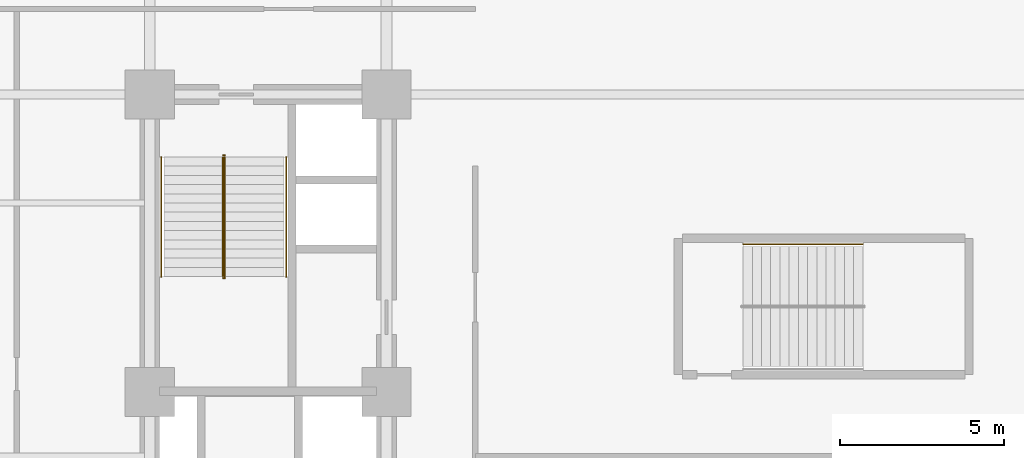
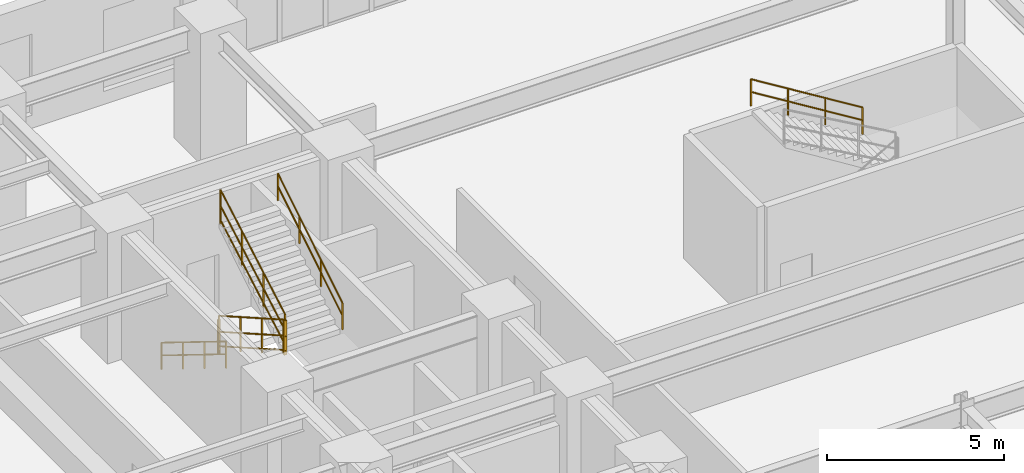
# One storey, part 14 of 15: 7 railings.
"""IFC4 building model written with IfcOpenShell, lengths in metres."""

import ifcopenshell
import ifcopenshell.guid

model = None  # the IFC model being written
_history = None  # IfcOwnerHistory: only IFC2X3 demands one
_inside = {}  # id of a spatial element -> (the spatial element, [elements in it])
_under = {}  # id of a project, library or spatial element -> (it, [spatial elements below it])
_declared = {}  # id of a project -> (the project, [libraries it declares])
_typed = {}  # id of a type object -> (the type object, [elements of that type])
_made_of = {}  # id of a material, layer set ... -> (it, [elements and type objects made of it])


def new_model(schema):
    """Start an empty IFC model of exactly this schema.

    Asked for "IFC4X3", IfcOpenShell would pick the latest addendum, in which some entities
    have other attributes; the version numbers below select the first issue.
    IFC2X3 requires an IfcOwnerHistory on every rooted entity: one is made here for all.
    """
    global model, _history
    if schema == "IFC4X3":
        model = ifcopenshell.file(schema_version=(4, 3, 0, 0))
    else:
        model = ifcopenshell.file(schema=schema)
    _inside.clear()
    _under.clear()
    _declared.clear()
    _typed.clear()
    _made_of.clear()
    _history = None
    if model.schema == "IFC2X3":
        org = make("IfcOrganization", Name="unknown")
        user = make(
            "IfcPersonAndOrganization",
            ThePerson=make("IfcPerson", FamilyName="unknown"),
            TheOrganization=org,
        )
        app = make(
            "IfcApplication",
            ApplicationDeveloper=org,
            Version="unknown",
            ApplicationFullName="unknown",
            ApplicationIdentifier="unknown",
        )
        _history = make(
            "IfcOwnerHistory",
            OwningUser=user,
            OwningApplication=app,
            ChangeAction="ADDED",
            CreationDate=0,
        )
    return model


def make(cls, **values):
    """One entity of the class cls with the attributes given. An attribute that is None is left unset."""
    return model.create_entity(
        cls, **{name: value for name, value in values.items() if value is not None}
    )


def entity(cls, *values):
    """Any entity or typed value of the class cls, its attributes in the order of the schema. None: left unset."""
    e = model.create_entity(cls)
    for i, value in enumerate(values):
        if value is not None:
            e[i] = value
    return e


def rooted(cls, **values):
    """An entity with a GlobalId (a new one), such as an element, a storey or a relation."""
    return make(cls, GlobalId=ifcopenshell.guid.new(), OwnerHistory=_history, **values)


def si_unit(unit_type, name, prefix=None):
    """IfcSIUnit, for example si_unit("LENGTHUNIT", "METRE", prefix="MILLI")."""
    return make("IfcSIUnit", UnitType=unit_type, Prefix=prefix, Name=name)


def converted_unit(unit_type, name, factor, base, dimensions=None, offset=None):
    """IfcConversionBasedUnit, such as the inch: factor (a typed value) times the base unit."""
    return make(
        "IfcConversionBasedUnit"
        if offset is None
        else "IfcConversionBasedUnitWithOffset",
        ConversionOffset=offset,
        Dimensions=None
        if dimensions is None
        else entity("IfcDimensionalExponents", *dimensions),
        UnitType=unit_type,
        Name=name,
        ConversionFactor=make(
            "IfcMeasureWithUnit", ValueComponent=factor, UnitComponent=base
        ),
    )


def assignment(units):
    """IfcUnitAssignment: the units of a project."""
    return None if units is None else make("IfcUnitAssignment", Units=units)


def point(xyz):
    """IfcCartesianPoint."""
    return None if xyz is None else make("IfcCartesianPoint", Coordinates=xyz)


def direction(xyz):
    """IfcDirection."""
    return None if xyz is None else make("IfcDirection", DirectionRatios=xyz)


def frame(location, z_axis=None, x_axis=None):
    """IfcAxis2Placement3D, a coordinate frame: its origin and axes. An axis left out is left unset."""
    return make(
        "IfcAxis2Placement3D",
        Location=point(location),
        Axis=direction(z_axis),
        RefDirection=direction(x_axis),
    )


def frame_2d(location, x_axis=None):
    """IfcAxis2Placement2D, a coordinate frame in the plane: its origin and x axis."""
    return make(
        "IfcAxis2Placement2D", Location=point(location), RefDirection=direction(x_axis)
    )


def origin_with_axes():
    """The frame at (0, 0, 0) with the z axis (0, 0, 1) and the x axis (1, 0, 0) written out."""
    return frame((0.0, 0.0, 0.0), z_axis=(0.0, 0.0, 1.0), x_axis=(1.0, 0.0, 0.0))


def origin_2d_with_axis():
    """The frame at (0, 0) in the plane with the x axis (1, 0) written out."""
    return frame_2d((0.0, 0.0), x_axis=(1.0, 0.0))


def place(relative_to, where):
    """IfcLocalPlacement: puts the frame where relative to a parent placement (None: the world)."""
    return make(
        "IfcLocalPlacement", PlacementRelTo=relative_to, RelativePlacement=where
    )


def context(
    kind, dimensions, precision=None, world=None, true_north=None, identifier=None
):
    """IfcGeometricRepresentationContext, for example the 3D "Model" context."""
    return make(
        "IfcGeometricRepresentationContext",
        ContextIdentifier=identifier,
        ContextType=kind,
        CoordinateSpaceDimension=dimensions,
        Precision=precision,
        WorldCoordinateSystem=world,
        TrueNorth=true_north,
    )


def subcontext(parent, identifier, kind, view, scale=None):
    """IfcGeometricRepresentationSubContext, for example "Body" below "Model"."""
    return make(
        "IfcGeometricRepresentationSubContext",
        ContextIdentifier=identifier,
        ContextType=kind,
        ParentContext=parent,
        TargetScale=scale,
        TargetView=view,
    )


def project(units=None, contexts=None):
    """IfcProject with its units and contexts."""
    return rooted(
        "IfcProject",
        Name="project",
        RepresentationContexts=contexts,
        UnitsInContext=assignment(units),
    )


def spatial(cls, under=None, at=None, **own):
    """A site, building, storey or space (cls), placed at a placement, below another one or the project."""
    s = rooted(cls, ObjectPlacement=at, **own)
    if under is not None:
        _under.setdefault(under.id(), (under, []))[1].append(s)
    return s


def profile(cls, at=None, kind="AREA", **sizes):
    """A parametric profile (cls). Its sizes go by their IFC names, for example OverallWidth=200.0."""
    return make(cls, ProfileType=kind, Position=at, **sizes)


def rectangle(**sizes):
    """IfcRectangleProfileDef."""
    return profile("IfcRectangleProfileDef", **sizes)


def circle(**sizes):
    """IfcCircleProfileDef."""
    return profile("IfcCircleProfileDef", **sizes)


def extrude(swept, where, along, depth):
    """IfcExtrudedAreaSolid: the profile swept, set in the frame where, extruded along a direction by depth."""
    return make(
        "IfcExtrudedAreaSolid",
        SweptArea=swept,
        Position=where,
        ExtrudedDirection=direction(along),
        Depth=depth,
    )


def shape(context_of_items, identifier, shape_type, items):
    """IfcShapeRepresentation: the items that make up one representation, for example the "Body"."""
    return make(
        "IfcShapeRepresentation",
        ContextOfItems=context_of_items,
        RepresentationIdentifier=identifier,
        RepresentationType=shape_type,
        Items=items,
    )


def material(Name=None, Category=None):
    """IfcMaterial."""
    return make("IfcMaterial", Name=Name, Category=Category)


def made_of(thing, what):
    """Note that an element or type object is made of a material, layer set ...; save() writes the relation."""
    if what is not None:
        _made_of.setdefault(what.id(), (what, []))[1].append(thing)
    return thing


def type_object(cls, material=None, **own):
    """A type object (cls), such as IfcWallType, which elements share."""
    return made_of(rooted(cls, **own), material)


def element(
    cls,
    number,
    at=None,
    inside=None,
    cuts=None,
    type_object=None,
    material=None,
    context=None,
    identifier="Body",
    shape_type=None,
    held_by="IfcProductDefinitionShape",
    body=None,
    shapes=None,
    **own,
):
    """One element of the class cls, such as IfcWall. Its Tag is "e" and its number.

    at: its placement. inside: the storey or other place that contains it. cuts: it is an
    opening in that element (IfcRelVoidsElement). A single representation is given by context,
    identifier, shape_type and body (its items); several are given by shapes. held_by: the class
    of the entity that holds the representations. save() writes the other relations.
    """
    e = rooted(cls, Tag="e%d" % number, ObjectPlacement=at, **own)
    if body is not None:
        shapes = [shape(context, identifier, shape_type, body)]
    if shapes is not None:
        e.Representation = make(held_by, Representations=shapes)
    if inside is not None:
        _inside.setdefault(inside.id(), (inside, []))[1].append(e)
    if cuts is not None:
        rooted(
            "IfcRelVoidsElement", RelatingBuildingElement=cuts, RelatedOpeningElement=e
        )
    if type_object is not None:
        _typed.setdefault(type_object.id(), (type_object, []))[1].append(e)
    return made_of(e, material)


def aggregate(whole, parts):
    """IfcRelAggregates: a whole, such as a stair, and the parts it consists of."""
    return rooted("IfcRelAggregates", RelatingObject=whole, RelatedObjects=parts)


def save(model, path):
    """Write the relations noted so far, then the file.

    IfcRelAggregates (storeys below a building ...), IfcRelContainedInSpatialStructure (elements
    in a storey), IfcRelDefinesByType, IfcRelAssociatesMaterial and IfcRelDeclares: one each for
    every whole, place, type object, material and project.
    """
    for whole, parts in _under.values():
        aggregate(whole, parts)
    for where, things in _inside.values():
        rooted(
            "IfcRelContainedInSpatialStructure",
            RelatedElements=things,
            RelatingStructure=where,
        )
    for kind, things in _typed.values():
        rooted("IfcRelDefinesByType", RelatedObjects=things, RelatingType=kind)
    for what, things in _made_of.values():
        rooted("IfcRelAssociatesMaterial", RelatedObjects=things, RelatingMaterial=what)
    for by, libraries in _declared.values():
        rooted("IfcRelDeclares", RelatingContext=by, RelatedDefinitions=libraries)
    model.write(path)


model = new_model("IFC4")

# Units and contexts
model_context = context("Model", 3, precision=1e-05, world=origin_with_axes(), true_north=direction((0.0, 1.0)))
body_context = subcontext(model_context, "Body", "Model", "MODEL_VIEW")
ifc_project = project(units=[si_unit("LENGTHUNIT", "METRE"), si_unit("AREAUNIT", "SQUARE_METRE"), si_unit("VOLUMEUNIT", "CUBIC_METRE"), converted_unit("PLANEANGLEUNIT", "DEGREE", entity("IfcPlaneAngleMeasure", 0.017453292519943295), si_unit("PLANEANGLEUNIT", "RADIAN"), dimensions=[0, 0, 0, 0, 0, 0, 0]), si_unit("MASSUNIT", "GRAM", prefix="KILO"), si_unit("THERMODYNAMICTEMPERATUREUNIT", "KELVIN")], contexts=[model_context])

# Site, building, storey
site_placement = place(None, origin_with_axes())
site = spatial("IfcSite", under=ifc_project, at=site_placement, CompositionType="ELEMENT")
building_placement = place(site_placement, origin_with_axes())
building = spatial("IfcBuilding", under=site, at=building_placement, Name="Varnlund Millrace Tower", CompositionType="ELEMENT")
storey_placement = place(building_placement, frame((0.0, 0.0, 19.8), z_axis=(0.0, 0.0, 1.0), x_axis=(1.0, 0.0, 0.0)))
storey = spatial("IfcBuildingStorey", under=building, at=storey_placement, Name="L04", CompositionType="ELEMENT", Elevation=19.8)

# Railings
ifc_material_1 = material(Name="Painted steel stair well balustrade guard", Category="steel")
railing_type_1 = type_object("IfcRailingType", Name="Type-StairGuard-1150", PredefinedType="GUARDRAIL", material=ifc_material_1)
railing_1_placement = place(storey_placement, frame((0.0, 0.0, -19.8), z_axis=(0.0, 0.0, 1.0), x_axis=(1.0, 0.0, 0.0)))
element("IfcRailing", 1, at=railing_1_placement, inside=storey, type_object=railing_type_1, Name="Type-StairGuard-1150", PredefinedType="GUARDRAIL", context=body_context, shape_type="SweptSolid", body=[
    extrude(circle(Radius=0.024, at=origin_2d_with_axis()), frame((13.625, 35.9, 21.123077), z_axis=(0.0, -0.868559, 0.495585), x_axis=(1.0, 0.0, 0.0)), (0.0, 0.0, 1.0), 4.190848),
    extrude(circle(Radius=0.024, at=origin_2d_with_axis()), frame((13.625, 35.9, 20.073077), z_axis=(0.0, -0.868559, 0.495585), x_axis=(1.0, 0.0, 0.0)), (0.0, 0.0, 1.0), 4.190848),
    extrude(circle(Radius=0.024, at=origin_2d_with_axis()), frame((13.625, 35.9, 20.571077), z_axis=(0.0, -0.868559, 0.495585), x_axis=(1.0, 0.0, 0.0)), (0.0, 0.0, 1.0), 4.190848),
    extrude(rectangle(XDim=0.04, YDim=0.04, at=origin_2d_with_axis()), frame((13.625, 35.9, 19.933077), z_axis=(0.0, 0.0, 1.0), x_axis=(1.0, 0.0, 0.0)), (0.0, 0.0, 1.0), 1.19),
    extrude(rectangle(XDim=0.04, YDim=0.04, at=origin_2d_with_axis()), frame((13.625, 34.686667, 20.625385), z_axis=(0.0, 0.0, 1.0), x_axis=(1.0, 0.0, 0.0)), (0.0, 0.0, 1.0), 1.19),
    extrude(rectangle(XDim=0.04, YDim=0.04, at=origin_2d_with_axis()), frame((13.625, 33.473333, 21.317692), z_axis=(0.0, 0.0, 1.0), x_axis=(1.0, 0.0, 0.0)), (0.0, 0.0, 1.0), 1.19),
    extrude(rectangle(XDim=0.04, YDim=0.04, at=origin_2d_with_axis()), frame((13.625, 32.26, 22.01), z_axis=(0.0, 0.0, 1.0), x_axis=(1.0, 0.0, 0.0)), (0.0, 0.0, 1.0), 1.19),
])
railing_2_placement = place(storey_placement, frame((0.0, 0.0, -19.8), z_axis=(0.0, 0.0, 1.0), x_axis=(1.0, 0.0, 0.0)))
element("IfcRailing", 2, at=railing_2_placement, inside=storey, type_object=railing_type_1, Name="Type-StairGuard-1150", PredefinedType="GUARDRAIL", context=body_context, shape_type="SweptSolid", body=[
    extrude(circle(Radius=0.024, at=origin_2d_with_axis()), frame((13.675, 32.21, 23.2), z_axis=(-1.0, 0.0, 0.0), x_axis=(0.0, -1.0, 0.0)), (0.0, 0.0, 1.0), 0.05),
    extrude(circle(Radius=0.024, at=origin_2d_with_axis()), frame((13.675, 32.21, 22.15), z_axis=(-1.0, 0.0, 0.0), x_axis=(0.0, -1.0, 0.0)), (0.0, 0.0, 1.0), 0.05),
    extrude(circle(Radius=0.024, at=origin_2d_with_axis()), frame((13.675, 32.21, 22.648), z_axis=(-1.0, 0.0, 0.0), x_axis=(0.0, -1.0, 0.0)), (0.0, 0.0, 1.0), 0.05),
    extrude(rectangle(XDim=0.04, YDim=0.04, at=origin_2d_with_axis()), frame((13.675, 32.21, 22.01), z_axis=(0.0, 0.0, 1.0), x_axis=(1.0, 0.0, 0.0)), (0.0, 0.0, 1.0), 1.19),
    extrude(rectangle(XDim=0.04, YDim=0.04, at=origin_2d_with_axis()), frame((13.625, 32.21, 22.01), z_axis=(0.0, 0.0, 1.0), x_axis=(1.0, 0.0, 0.0)), (0.0, 0.0, 1.0), 1.19),
])
railing_3_placement = place(storey_placement, frame((0.0, 0.0, -19.8), z_axis=(0.0, 0.0, 1.0), x_axis=(1.0, 0.0, 0.0)))
element("IfcRailing", 3, at=railing_3_placement, inside=storey, type_object=railing_type_1, Name="Type-StairGuard-1150", PredefinedType="GUARDRAIL", context=body_context, shape_type="SweptSolid", body=[
    extrude(circle(Radius=0.024, at=origin_2d_with_axis()), frame((13.675, 32.26, 23.373077), z_axis=(0.0, 0.868559, 0.495585), x_axis=(-1.0, 0.0, 0.0)), (0.0, 0.0, 1.0), 4.190848),
    extrude(circle(Radius=0.024, at=origin_2d_with_axis()), frame((13.675, 32.26, 22.323077), z_axis=(0.0, 0.868559, 0.495585), x_axis=(-1.0, 0.0, 0.0)), (0.0, 0.0, 1.0), 4.190848),
    extrude(circle(Radius=0.024, at=origin_2d_with_axis()), frame((13.675, 32.26, 22.821077), z_axis=(0.0, 0.868559, 0.495585), x_axis=(-1.0, 0.0, 0.0)), (0.0, 0.0, 1.0), 4.190848),
    extrude(rectangle(XDim=0.04, YDim=0.04, at=origin_2d_with_axis()), frame((13.675, 32.26, 22.183077), z_axis=(0.0, 0.0, 1.0), x_axis=(1.0, 0.0, 0.0)), (0.0, 0.0, 1.0), 1.19),
    extrude(rectangle(XDim=0.04, YDim=0.04, at=origin_2d_with_axis()), frame((13.675, 33.473333, 22.875385), z_axis=(0.0, 0.0, 1.0), x_axis=(1.0, 0.0, 0.0)), (0.0, 0.0, 1.0), 1.19),
    extrude(rectangle(XDim=0.04, YDim=0.04, at=origin_2d_with_axis()), frame((13.675, 34.686667, 23.567692), z_axis=(0.0, 0.0, 1.0), x_axis=(1.0, 0.0, 0.0)), (0.0, 0.0, 1.0), 1.19),
    extrude(rectangle(XDim=0.04, YDim=0.04, at=origin_2d_with_axis()), frame((13.675, 35.9, 24.26), z_axis=(0.0, 0.0, 1.0), x_axis=(1.0, 0.0, 0.0)), (0.0, 0.0, 1.0), 1.19),
])
railing_4_placement = place(storey_placement, frame((0.0, 0.0, -19.8), z_axis=(0.0, 0.0, 1.0), x_axis=(1.0, 0.0, 0.0)))
element("IfcRailing", 4, at=railing_4_placement, inside=storey, type_object=railing_type_1, Name="Type-StairGuard-1150", PredefinedType="GUARDRAIL", context=body_context, shape_type="SweptSolid", body=[
    extrude(circle(Radius=0.024, at=origin_2d_with_axis()), frame((13.675, 35.95, 20.95), z_axis=(-1.0, 0.0, 0.0), x_axis=(0.0, -1.0, 0.0)), (0.0, 0.0, 1.0), 0.05),
    extrude(circle(Radius=0.024, at=origin_2d_with_axis()), frame((13.675, 35.95, 19.9), z_axis=(-1.0, 0.0, 0.0), x_axis=(0.0, -1.0, 0.0)), (0.0, 0.0, 1.0), 0.05),
    extrude(circle(Radius=0.024, at=origin_2d_with_axis()), frame((13.675, 35.95, 20.398), z_axis=(-1.0, 0.0, 0.0), x_axis=(0.0, -1.0, 0.0)), (0.0, 0.0, 1.0), 0.05),
    extrude(rectangle(XDim=0.04, YDim=0.04, at=origin_2d_with_axis()), frame((13.675, 35.95, 19.76), z_axis=(0.0, 0.0, 1.0), x_axis=(1.0, 0.0, 0.0)), (0.0, 0.0, 1.0), 1.19),
    extrude(rectangle(XDim=0.04, YDim=0.04, at=origin_2d_with_axis()), frame((13.625, 35.95, 19.76), z_axis=(0.0, 0.0, 1.0), x_axis=(1.0, 0.0, 0.0)), (0.0, 0.0, 1.0), 1.19),
])
ifc_material_2 = material(Name="Brushed architectural bronze stair handrail", Category="aluminium")
railing_type_2 = type_object("IfcRailingType", Name="Type-StairHandrail-900", PredefinedType="HANDRAIL", material=ifc_material_2)
railing_5_placement = place(storey_placement, frame((0.0, 0.0, -19.8), z_axis=(0.0, 0.0, 1.0), x_axis=(1.0, 0.0, 0.0)))
element("IfcRailing", 5, at=railing_5_placement, inside=storey, type_object=railing_type_2, Name="Type-StairHandrail-900", PredefinedType="HANDRAIL", context=body_context, shape_type="SweptSolid", body=[
    extrude(circle(Radius=0.024, at=origin_2d_with_axis()), frame((11.75, 35.9, 20.852662), z_axis=(0.0, -0.850614, 0.525791), x_axis=(1.0, 0.0, 0.0)), (0.0, 0.0, 1.0), 4.279264),
    extrude(circle(Radius=0.024, at=origin_2d_with_axis()), frame((11.75, 35.9, 20.41287), z_axis=(0.0, -0.850614, 0.525791), x_axis=(1.0, 0.0, 0.0)), (0.0, 0.0, 1.0), 4.279264),
    extrude(rectangle(XDim=0.04, YDim=0.04, at=origin_2d_with_axis()), frame((11.75, 35.9, 19.933077), z_axis=(0.0, 0.0, 1.0), x_axis=(1.0, 0.0, 0.0)), (0.0, 0.0, 1.0), 0.919585),
    extrude(rectangle(XDim=0.04, YDim=0.04, at=origin_2d_with_axis()), frame((11.75, 34.686667, 20.683077), z_axis=(0.0, 0.0, 1.0), x_axis=(1.0, 0.0, 0.0)), (0.0, 0.0, 1.0), 0.919585),
    extrude(rectangle(XDim=0.04, YDim=0.04, at=origin_2d_with_axis()), frame((11.75, 33.473333, 21.433077), z_axis=(0.0, 0.0, 1.0), x_axis=(1.0, 0.0, 0.0)), (0.0, 0.0, 1.0), 0.919585),
    extrude(rectangle(XDim=0.04, YDim=0.04, at=origin_2d_with_axis()), frame((11.75, 32.26, 22.183077), z_axis=(0.0, 0.0, 1.0), x_axis=(1.0, 0.0, 0.0)), (0.0, 0.0, 1.0), 0.919585),
])
railing_6_placement = place(storey_placement, frame((0.0, 0.0, -19.8), z_axis=(0.0, 0.0, 1.0), x_axis=(1.0, 0.0, 0.0)))
element("IfcRailing", 6, at=railing_6_placement, inside=storey, type_object=railing_type_2, Name="Type-StairHandrail-900", PredefinedType="HANDRAIL", context=body_context, shape_type="SweptSolid", body=[
    extrude(circle(Radius=0.024, at=origin_2d_with_axis()), frame((15.55, 32.26, 23.102662), z_axis=(0.0, 0.850614, 0.525791), x_axis=(-1.0, 0.0, 0.0)), (0.0, 0.0, 1.0), 4.279264),
    extrude(circle(Radius=0.024, at=origin_2d_with_axis()), frame((15.55, 32.26, 22.66287), z_axis=(0.0, 0.850614, 0.525791), x_axis=(-1.0, 0.0, 0.0)), (0.0, 0.0, 1.0), 4.279264),
    extrude(rectangle(XDim=0.04, YDim=0.04, at=origin_2d_with_axis()), frame((15.55, 32.26, 22.183077), z_axis=(0.0, 0.0, 1.0), x_axis=(1.0, 0.0, 0.0)), (0.0, 0.0, 1.0), 0.919585),
    extrude(rectangle(XDim=0.04, YDim=0.04, at=origin_2d_with_axis()), frame((15.55, 33.473333, 22.933077), z_axis=(0.0, 0.0, 1.0), x_axis=(1.0, 0.0, 0.0)), (0.0, 0.0, 1.0), 0.919585),
    extrude(rectangle(XDim=0.04, YDim=0.04, at=origin_2d_with_axis()), frame((15.55, 34.686667, 23.683077), z_axis=(0.0, 0.0, 1.0), x_axis=(1.0, 0.0, 0.0)), (0.0, 0.0, 1.0), 0.919585),
    extrude(rectangle(XDim=0.04, YDim=0.04, at=origin_2d_with_axis()), frame((15.55, 35.9, 24.433077), z_axis=(0.0, 0.0, 1.0), x_axis=(1.0, 0.0, 0.0)), (0.0, 0.0, 1.0), 0.919585),
])
railing_7_placement = place(storey_placement, frame((0.0, 0.0, -19.8), z_axis=(0.0, 0.0, 1.0), x_axis=(1.0, 0.0, 0.0)))
element("IfcRailing", 7, at=railing_7_placement, inside=storey, type_object=railing_type_2, Name="Type-StairHandrail-900", PredefinedType="HANDRAIL", context=body_context, shape_type="SweptSolid", body=[
    extrude(circle(Radius=0.024, at=origin_2d_with_axis()), frame((33.09, 33.25, 23.102662), z_axis=(-0.850614, 0.0, 0.525791), x_axis=(0.0, -1.0, 0.0)), (0.0, 0.0, 1.0), 4.279264),
    extrude(circle(Radius=0.024, at=origin_2d_with_axis()), frame((33.09, 33.25, 22.66287), z_axis=(-0.850614, 0.0, 0.525791), x_axis=(0.0, -1.0, 0.0)), (0.0, 0.0, 1.0), 4.279264),
    extrude(rectangle(XDim=0.04, YDim=0.04, at=origin_2d_with_axis()), frame((33.09, 33.25, 22.183077), z_axis=(0.0, 0.0, 1.0), x_axis=(1.0, 0.0, 0.0)), (0.0, 0.0, 1.0), 0.919585),
    extrude(rectangle(XDim=0.04, YDim=0.04, at=origin_2d_with_axis()), frame((31.876667, 33.25, 22.933077), z_axis=(0.0, 0.0, 1.0), x_axis=(1.0, 0.0, 0.0)), (0.0, 0.0, 1.0), 0.919585),
    extrude(rectangle(XDim=0.04, YDim=0.04, at=origin_2d_with_axis()), frame((30.663333, 33.25, 23.683077), z_axis=(0.0, 0.0, 1.0), x_axis=(1.0, 0.0, 0.0)), (0.0, 0.0, 1.0), 0.919585),
    extrude(rectangle(XDim=0.04, YDim=0.04, at=origin_2d_with_axis()), frame((29.45, 33.25, 24.433077), z_axis=(0.0, 0.0, 1.0), x_axis=(1.0, 0.0, 0.0)), (0.0, 0.0, 1.0), 0.919585),
])

save(model, "model.ifc")
